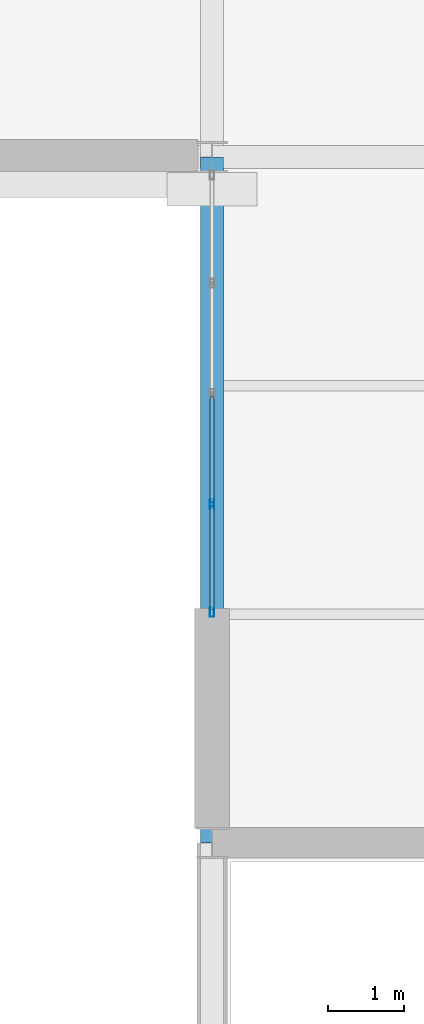
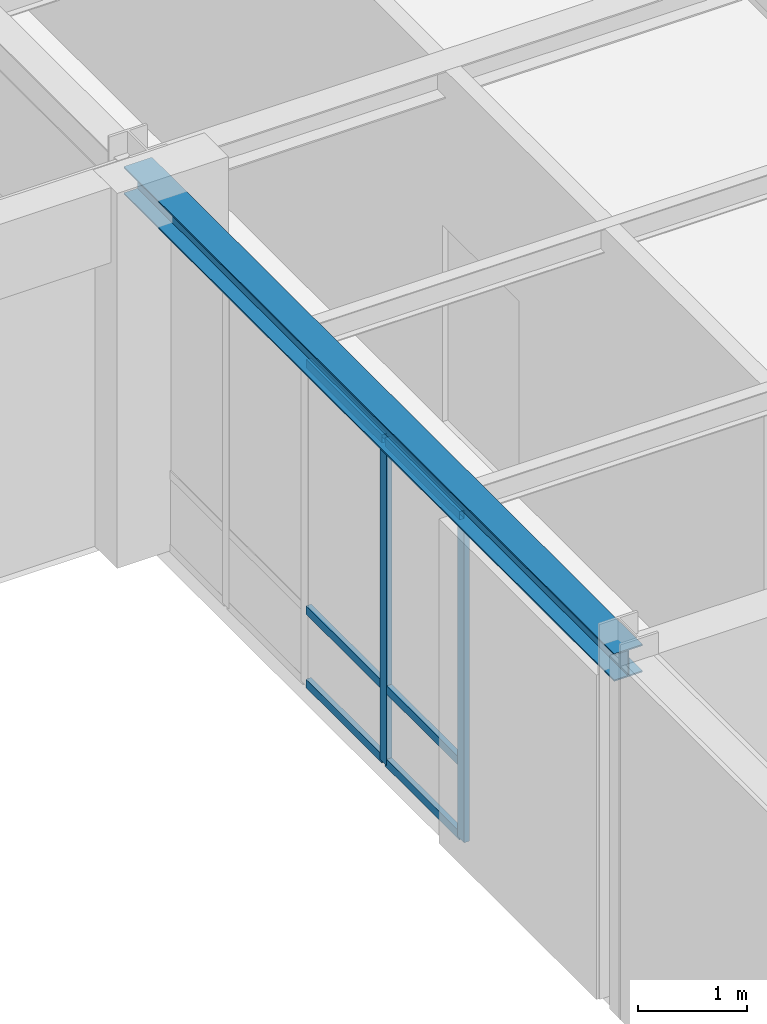
# One storey, part 16 of 130: 8 members, 1 beam, 1 element without a shape of its own.
"""IFC4 building model written with IfcOpenShell, lengths in metres."""

import ifcopenshell
import ifcopenshell.guid

model = None  # the IFC model being written
_history = None  # IfcOwnerHistory: only IFC2X3 demands one
_inside = {}  # id of a spatial element -> (the spatial element, [elements in it])
_under = {}  # id of a project, library or spatial element -> (it, [spatial elements below it])
_declared = {}  # id of a project -> (the project, [libraries it declares])
_typed = {}  # id of a type object -> (the type object, [elements of that type])
_made_of = {}  # id of a material, layer set ... -> (it, [elements and type objects made of it])


def new_model(schema):
    """Start an empty IFC model of exactly this schema.

    Asked for "IFC4X3", IfcOpenShell would pick the latest addendum, in which some entities
    have other attributes; the version numbers below select the first issue.
    IFC2X3 requires an IfcOwnerHistory on every rooted entity: one is made here for all.
    """
    global model, _history
    if schema == "IFC4X3":
        model = ifcopenshell.file(schema_version=(4, 3, 0, 0))
    else:
        model = ifcopenshell.file(schema=schema)
    _inside.clear()
    _under.clear()
    _declared.clear()
    _typed.clear()
    _made_of.clear()
    _history = None
    if model.schema == "IFC2X3":
        org = make("IfcOrganization", Name="unknown")
        user = make(
            "IfcPersonAndOrganization",
            ThePerson=make("IfcPerson", FamilyName="unknown"),
            TheOrganization=org,
        )
        app = make(
            "IfcApplication",
            ApplicationDeveloper=org,
            Version="unknown",
            ApplicationFullName="unknown",
            ApplicationIdentifier="unknown",
        )
        _history = make(
            "IfcOwnerHistory",
            OwningUser=user,
            OwningApplication=app,
            ChangeAction="ADDED",
            CreationDate=0,
        )
    return model


def make(cls, **values):
    """One entity of the class cls with the attributes given. An attribute that is None is left unset."""
    return model.create_entity(
        cls, **{name: value for name, value in values.items() if value is not None}
    )


def rooted(cls, **values):
    """An entity with a GlobalId (a new one), such as an element, a storey or a relation."""
    return make(cls, GlobalId=ifcopenshell.guid.new(), OwnerHistory=_history, **values)


def si_unit(unit_type, name, prefix=None):
    """IfcSIUnit, for example si_unit("LENGTHUNIT", "METRE", prefix="MILLI")."""
    return make("IfcSIUnit", UnitType=unit_type, Prefix=prefix, Name=name)


def assignment(units):
    """IfcUnitAssignment: the units of a project."""
    return None if units is None else make("IfcUnitAssignment", Units=units)


def point(xyz):
    """IfcCartesianPoint."""
    return None if xyz is None else make("IfcCartesianPoint", Coordinates=xyz)


def direction(xyz):
    """IfcDirection."""
    return None if xyz is None else make("IfcDirection", DirectionRatios=xyz)


def frame(location, z_axis=None, x_axis=None):
    """IfcAxis2Placement3D, a coordinate frame: its origin and axes. An axis left out is left unset."""
    return make(
        "IfcAxis2Placement3D",
        Location=point(location),
        Axis=direction(z_axis),
        RefDirection=direction(x_axis),
    )


def frame_2d(location, x_axis=None):
    """IfcAxis2Placement2D, a coordinate frame in the plane: its origin and x axis."""
    return make(
        "IfcAxis2Placement2D", Location=point(location), RefDirection=direction(x_axis)
    )


def origin():
    """The frame at (0, 0, 0) with its axes left unset."""
    return frame((0.0, 0.0, 0.0))


def origin_2d():
    """The frame at (0, 0) in the plane with its x axis left unset."""
    return frame_2d((0.0, 0.0))


def place(relative_to, where):
    """IfcLocalPlacement: puts the frame where relative to a parent placement (None: the world)."""
    return make(
        "IfcLocalPlacement", PlacementRelTo=relative_to, RelativePlacement=where
    )


def context(
    kind, dimensions, precision=None, world=None, true_north=None, identifier=None
):
    """IfcGeometricRepresentationContext, for example the 3D "Model" context."""
    return make(
        "IfcGeometricRepresentationContext",
        ContextIdentifier=identifier,
        ContextType=kind,
        CoordinateSpaceDimension=dimensions,
        Precision=precision,
        WorldCoordinateSystem=world,
        TrueNorth=true_north,
    )


def subcontext(parent, identifier, kind, view, scale=None):
    """IfcGeometricRepresentationSubContext, for example "Body" below "Model"."""
    return make(
        "IfcGeometricRepresentationSubContext",
        ContextIdentifier=identifier,
        ContextType=kind,
        ParentContext=parent,
        TargetScale=scale,
        TargetView=view,
    )


def project(units=None, contexts=None):
    """IfcProject with its units and contexts."""
    return rooted(
        "IfcProject",
        Name="project",
        RepresentationContexts=contexts,
        UnitsInContext=assignment(units),
    )


def spatial(cls, under=None, at=None, **own):
    """A site, building, storey or space (cls), placed at a placement, below another one or the project."""
    s = rooted(cls, ObjectPlacement=at, **own)
    if under is not None:
        _under.setdefault(under.id(), (under, []))[1].append(s)
    return s


def profile(cls, at=None, kind="AREA", **sizes):
    """A parametric profile (cls). Its sizes go by their IFC names, for example OverallWidth=200.0."""
    return make(cls, ProfileType=kind, Position=at, **sizes)


def hollow_rectangle(**sizes):
    """IfcRectangleHollowProfileDef."""
    return profile("IfcRectangleHollowProfileDef", **sizes)


def i_section(**sizes):
    """IfcIShapeProfileDef."""
    return profile("IfcIShapeProfileDef", **sizes)


def extrude(swept, where, along, depth):
    """IfcExtrudedAreaSolid: the profile swept, set in the frame where, extruded along a direction by depth."""
    return make(
        "IfcExtrudedAreaSolid",
        SweptArea=swept,
        Position=where,
        ExtrudedDirection=direction(along),
        Depth=depth,
    )


def shape(context_of_items, identifier, shape_type, items):
    """IfcShapeRepresentation: the items that make up one representation, for example the "Body"."""
    return make(
        "IfcShapeRepresentation",
        ContextOfItems=context_of_items,
        RepresentationIdentifier=identifier,
        RepresentationType=shape_type,
        Items=items,
    )


def material(Name=None, Category=None):
    """IfcMaterial."""
    return make("IfcMaterial", Name=Name, Category=Category)


def material_profile(
    of_material, cross_section, Name=None, Category=None, Priority=None
):
    """IfcMaterialProfile: a cross section and its material."""
    return make(
        "IfcMaterialProfile",
        Name=Name,
        Material=of_material,
        Profile=cross_section,
        Priority=Priority,
        Category=Category,
    )


def profile_set(profiles, Name=None, composite=None):
    """IfcMaterialProfileSet."""
    return make(
        "IfcMaterialProfileSet",
        Name=Name,
        MaterialProfiles=profiles,
        CompositeProfile=composite,
    )


def made_of(thing, what):
    """Note that an element or type object is made of a material, layer set ...; save() writes the relation."""
    if what is not None:
        _made_of.setdefault(what.id(), (what, []))[1].append(thing)
    return thing


def type_object(cls, material=None, **own):
    """A type object (cls), such as IfcWallType, which elements share."""
    return made_of(rooted(cls, **own), material)


def element(
    cls,
    number,
    at=None,
    inside=None,
    cuts=None,
    type_object=None,
    material=None,
    context=None,
    identifier="Body",
    shape_type=None,
    held_by="IfcProductDefinitionShape",
    body=None,
    shapes=None,
    **own,
):
    """One element of the class cls, such as IfcWall. Its Tag is "e" and its number.

    at: its placement. inside: the storey or other place that contains it. cuts: it is an
    opening in that element (IfcRelVoidsElement). A single representation is given by context,
    identifier, shape_type and body (its items); several are given by shapes. held_by: the class
    of the entity that holds the representations. save() writes the other relations.
    """
    e = rooted(cls, Tag="e%d" % number, ObjectPlacement=at, **own)
    if body is not None:
        shapes = [shape(context, identifier, shape_type, body)]
    if shapes is not None:
        e.Representation = make(held_by, Representations=shapes)
    if inside is not None:
        _inside.setdefault(inside.id(), (inside, []))[1].append(e)
    if cuts is not None:
        rooted(
            "IfcRelVoidsElement", RelatingBuildingElement=cuts, RelatedOpeningElement=e
        )
    if type_object is not None:
        _typed.setdefault(type_object.id(), (type_object, []))[1].append(e)
    return made_of(e, material)


def aggregate(whole, parts):
    """IfcRelAggregates: a whole, such as a stair, and the parts it consists of."""
    return rooted("IfcRelAggregates", RelatingObject=whole, RelatedObjects=parts)


def save(model, path):
    """Write the relations noted so far, then the file.

    IfcRelAggregates (storeys below a building ...), IfcRelContainedInSpatialStructure (elements
    in a storey), IfcRelDefinesByType, IfcRelAssociatesMaterial and IfcRelDeclares: one each for
    every whole, place, type object, material and project.
    """
    for whole, parts in _under.values():
        aggregate(whole, parts)
    for where, things in _inside.values():
        rooted(
            "IfcRelContainedInSpatialStructure",
            RelatedElements=things,
            RelatingStructure=where,
        )
    for kind, things in _typed.values():
        rooted("IfcRelDefinesByType", RelatedObjects=things, RelatingType=kind)
    for what, things in _made_of.values():
        rooted("IfcRelAssociatesMaterial", RelatedObjects=things, RelatingMaterial=what)
    for by, libraries in _declared.values():
        rooted("IfcRelDeclares", RelatingContext=by, RelatedDefinitions=libraries)
    model.write(path)


model = new_model("IFC4")

# Units and contexts
model_context = context("Model", 3, precision=1e-05, world=origin(), true_north=direction((0.0, 1.0)))
body_context = subcontext(model_context, "Body", "Model", "MODEL_VIEW")
ifc_project = project(units=[si_unit("LENGTHUNIT", "METRE"), si_unit("AREAUNIT", "SQUARE_METRE"), si_unit("VOLUMEUNIT", "CUBIC_METRE"), si_unit("PLANEANGLEUNIT", "RADIAN"), si_unit("MASSUNIT", "GRAM", prefix="KILO")], contexts=[model_context])

# Site, building, storey
site_placement = place(None, origin())
site = spatial("IfcSite", under=ifc_project, at=site_placement, CompositionType="ELEMENT")
building_placement = place(site_placement, origin())
building = spatial("IfcBuilding", under=site, at=building_placement, Name="Lykobir Media Centre", CompositionType="ELEMENT")
storey_placement = place(building_placement, frame((0.0, 0.0, 19.199951171875)))
storey = spatial("IfcBuildingStorey", under=building, at=storey_placement, Name="L04", CompositionType="ELEMENT", Elevation=19.199951171875)

# Curtain wall, members
ifc_material_1 = material(Name="Anodized Aluminium AW-6060", Category="aluminium")
curtain_wall_type = type_object("IfcCurtainWallType", Name="CW-COURT-B", PredefinedType="NOTDEFINED", material=ifc_material_1)
curtain_wall_placement = place(storey_placement, origin())
curtain_wall = element("IfcCurtainWall", 1, at=curtain_wall_placement, inside=storey, type_object=curtain_wall_type, Name="Curtain wall CW2-L04-0149", PredefinedType="NOTDEFINED")
ifc_material_profile_1 = material_profile(ifc_material_1, hollow_rectangle(XDim=0.054931640625, YDim=0.1201171875, WallThickness=0.003173828125, at=origin_2d()), Name="ALU MULLION 55x120")
ifc_profile_set_1 = profile_set([ifc_material_profile_1], Name="Anodized Aluminium AW-6060")
member_type_1 = type_object("IfcMemberType", Name="CWM-120", PredefinedType="MULLION", material=ifc_profile_set_1)
member_1_placement = place(storey_placement, frame((27.0, 21.027587890625, 0.0), z_axis=(0.0, 0.0, 1.0), x_axis=(-1.0, 0.0, 0.0)))
member_1 = element("IfcMember", 2, at=member_1_placement, type_object=member_type_1, Name="CW2-L04-0149 mullion 1", PredefinedType="MULLION", context=body_context, shape_type="SweptSolid", body=[
    extrude(hollow_rectangle(XDim=0.054931640625, YDim=0.1201171875, WallThickness=0.003173828125, at=origin_2d()), origin(), (0.0, 0.0, 1.0), 3.635009765625),
])
member_2_placement = place(storey_placement, frame((27.0, 22.447998046875, 0.0), z_axis=(0.0, 0.0, 1.0), x_axis=(-1.0, 0.0, 0.0)))
member_2 = element("IfcMember", 3, at=member_2_placement, type_object=member_type_1, Name="CW2-L04-0149 mullion 2", PredefinedType="MULLION", context=body_context, shape_type="SweptSolid", body=[
    extrude(hollow_rectangle(XDim=0.054931640625, YDim=0.1201171875, WallThickness=0.003173828125, at=origin_2d()), origin(), (0.0, 0.0, 1.0), 3.635009765625),
])
ifc_material_profile_2 = material_profile(ifc_material_1, hollow_rectangle(XDim=0.054931640625, YDim=0.094970703125, WallThickness=0.0029296875, at=origin_2d()), Name="ALU TRANSOM 55x95")
ifc_profile_set_2 = profile_set([ifc_material_profile_2], Name="Anodized Aluminium AW-6060")
member_type_2 = type_object("IfcMemberType", Name="CWT-095", PredefinedType="USERDEFINED", material=ifc_profile_set_2)
member_3_placement = place(storey_placement, frame((27.0, 21.054931640625, 0.027587890625), z_axis=(0.0, 1.0, 0.0), x_axis=(-1.0, 0.0, 0.0)))
member_3 = element("IfcMember", 4, at=member_3_placement, type_object=member_type_2, Name="CW2-L04-0149 transom 1.1", ObjectType="TRANSOM", PredefinedType="USERDEFINED", context=body_context, shape_type="SweptSolid", body=[
    extrude(hollow_rectangle(XDim=0.054931640625, YDim=0.094970703125, WallThickness=0.0029296875, at=origin_2d()), origin(), (0.0, 0.0, 1.0), 1.365478515625),
])
member_4_placement = place(storey_placement, frame((27.0, 21.054931640625, 0.85009765625), z_axis=(0.0, 1.0, 0.0), x_axis=(-1.0, 0.0, 0.0)))
member_4 = element("IfcMember", 5, at=member_4_placement, type_object=member_type_2, Name="CW2-L04-0149 transom 1.2", ObjectType="TRANSOM", PredefinedType="USERDEFINED", context=body_context, shape_type="SweptSolid", body=[
    extrude(hollow_rectangle(XDim=0.054931640625, YDim=0.094970703125, WallThickness=0.0029296875, at=origin_2d()), origin(), (0.0, 0.0, 1.0), 1.365478515625),
])
member_5_placement = place(storey_placement, frame((27.0, 21.054931640625, 3.607666015625), z_axis=(0.0, 1.0, 0.0), x_axis=(-1.0, 0.0, 0.0)))
member_5 = element("IfcMember", 6, at=member_5_placement, type_object=member_type_2, Name="CW2-L04-0149 transom 1.3", ObjectType="TRANSOM", PredefinedType="USERDEFINED", context=body_context, shape_type="SweptSolid", body=[
    extrude(hollow_rectangle(XDim=0.054931640625, YDim=0.094970703125, WallThickness=0.0029296875, at=origin_2d()), origin(), (0.0, 0.0, 1.0), 1.365478515625),
])
member_6_placement = place(storey_placement, frame((27.0, 22.475341796875, 0.027587890625), z_axis=(0.0, 1.0, 0.0), x_axis=(-1.0, 0.0, 0.0)))
member_6 = element("IfcMember", 7, at=member_6_placement, type_object=member_type_2, Name="CW2-L04-0149 transom 2.1", ObjectType="TRANSOM", PredefinedType="USERDEFINED", context=body_context, shape_type="SweptSolid", body=[
    extrude(hollow_rectangle(XDim=0.054931640625, YDim=0.094970703125, WallThickness=0.0029296875, at=origin_2d()), origin(), (0.0, 0.0, 1.0), 1.392822265625),
])
member_7_placement = place(storey_placement, frame((27.0, 22.475341796875, 0.85009765625), z_axis=(0.0, 1.0, 0.0), x_axis=(-1.0, 0.0, 0.0)))
member_7 = element("IfcMember", 8, at=member_7_placement, type_object=member_type_2, Name="CW2-L04-0149 transom 2.2", ObjectType="TRANSOM", PredefinedType="USERDEFINED", context=body_context, shape_type="SweptSolid", body=[
    extrude(hollow_rectangle(XDim=0.054931640625, YDim=0.094970703125, WallThickness=0.0029296875, at=origin_2d()), origin(), (0.0, 0.0, 1.0), 1.392822265625),
])
member_8_placement = place(storey_placement, frame((27.0, 22.475341796875, 3.607666015625), z_axis=(0.0, 1.0, 0.0), x_axis=(-1.0, 0.0, 0.0)))
member_8 = element("IfcMember", 9, at=member_8_placement, type_object=member_type_2, Name="CW2-L04-0149 transom 2.3", ObjectType="TRANSOM", PredefinedType="USERDEFINED", context=body_context, shape_type="SweptSolid", body=[
    extrude(hollow_rectangle(XDim=0.054931640625, YDim=0.094970703125, WallThickness=0.0029296875, at=origin_2d()), origin(), (0.0, 0.0, 1.0), 1.392822265625),
])
aggregate(curtain_wall, [member_1, member_2, member_3, member_4, member_5, member_6, member_7, member_8])

# Beam
ifc_material_2 = material(Name="Steel S355", Category="steel")
ifc_material_profile_3 = material_profile(ifc_material_2, i_section(OverallWidth=0.300048828125, OverallDepth=0.31005859375, WebThickness=0.009033203125, FlangeThickness=0.015380859375, at=origin_2d()), Name="HEA 320")
ifc_profile_set_3 = profile_set([ifc_material_profile_3], Name="Steel S355")
beam_type = type_object("IfcBeamType", Name="SP-HEA320", PredefinedType="SPANDREL", material=ifc_profile_set_3)
beam_placement = place(storey_placement, frame((27.0, 18.0, 3.804931640625), z_axis=(0.0, 1.0, 0.0), x_axis=(-1.0, 0.0, 0.0)))
element("IfcBeam", 10, at=beam_placement, inside=storey, type_object=beam_type, Name="Beam BM-L04-0270-0180-0270-0270-2300", PredefinedType="SPANDREL", context=body_context, shape_type="SweptSolid", body=[
    extrude(i_section(OverallWidth=0.300048828125, OverallDepth=0.31005859375, WebThickness=0.009033203125, FlangeThickness=0.015380859375, at=origin_2d()), origin(), (0.0, 0.0, 1.0), 9.0),
])

save(model, "model.ifc")
